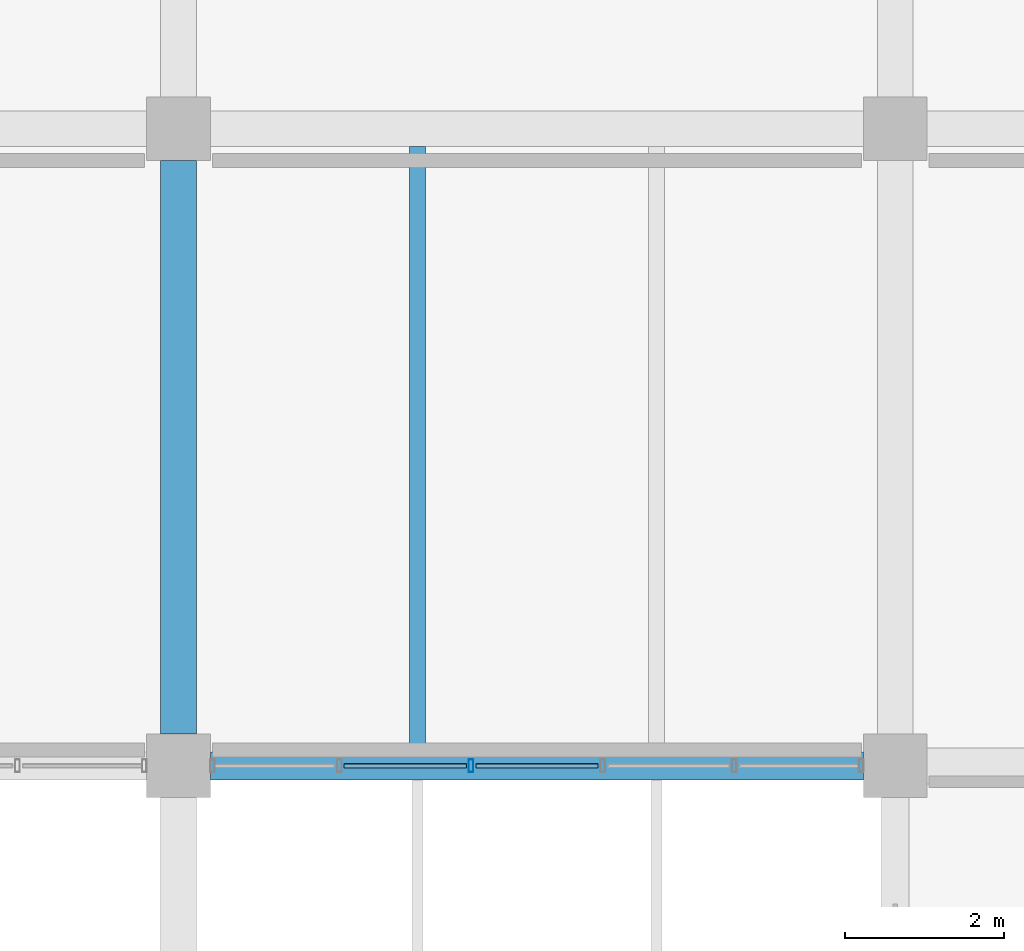
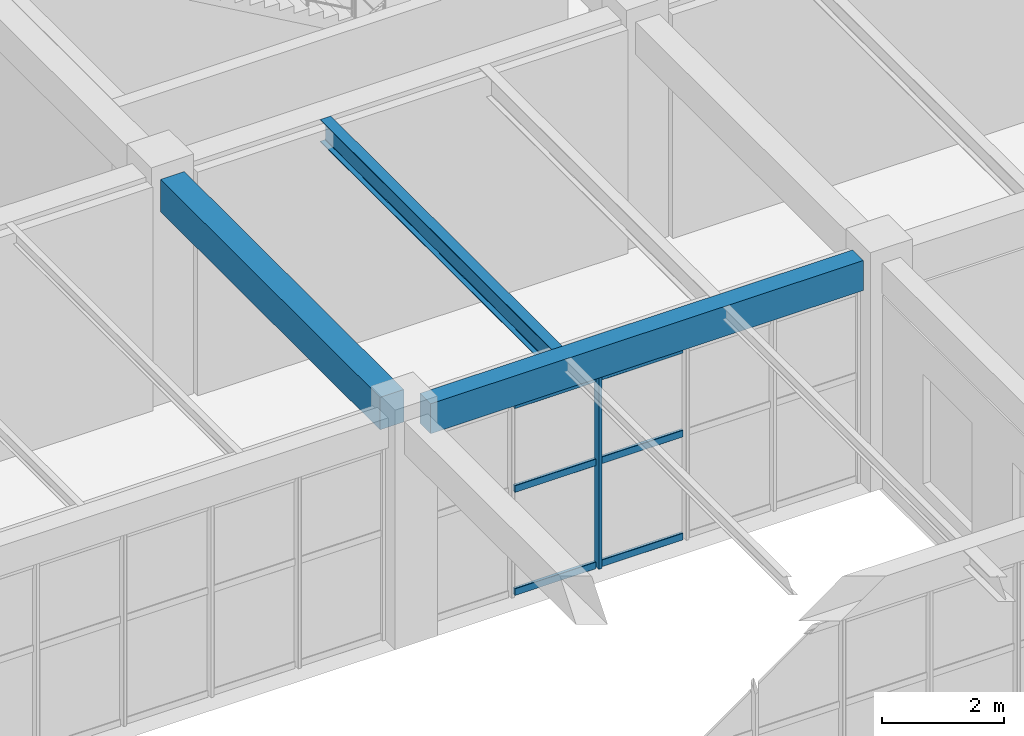
# One storey, part 85 of 178: 7 members, 3 beams, 1 element without a shape of its own.
"""IFC4 building model written with IfcOpenShell, lengths in metres."""

from ifc_helpers import new_model, si_unit, derived_unit, direction, frame, origin, origin_2d, place, context, subcontext, project, spatial, rectangle, hollow_rectangle, i_section, extrude, material, material_profile, profile_set, type_object, element, aggregate, save


model = new_model("IFC4")

# Units and contexts
model_context = context("Model", 3, precision=1e-05, world=origin(), true_north=direction((0.0, 1.0)))
body_context = subcontext(model_context, "Body", "Model", "MODEL_VIEW")
ifc_project = project(units=[si_unit("LENGTHUNIT", "METRE"), si_unit("AREAUNIT", "SQUARE_METRE"), si_unit("VOLUMEUNIT", "CUBIC_METRE"), si_unit("PLANEANGLEUNIT", "RADIAN"), si_unit("MASSUNIT", "GRAM", prefix="KILO"), derived_unit("THERMALTRANSMITTANCEUNIT", [(si_unit("MASSUNIT", "GRAM", prefix="KILO"), 1), (si_unit("TIMEUNIT", "SECOND"), -3), (si_unit("THERMODYNAMICTEMPERATUREUNIT", "KELVIN"), -1)])], contexts=[model_context])

# Site, building, storey
site_placement = place(None, origin())
site = spatial("IfcSite", under=ifc_project, at=site_placement, CompositionType="ELEMENT")
building_placement = place(site_placement, origin())
building = spatial("IfcBuilding", under=site, at=building_placement, Name="Zhenchuan Archway Interchange", CompositionType="ELEMENT")
storey_placement = place(building_placement, frame((0.0, 0.0, 5.39990234375)))
storey = spatial("IfcBuildingStorey", under=building, at=storey_placement, Name="L01", CompositionType="ELEMENT", Elevation=5.39990234375)

# Beam
ifc_material_1 = material(Name="Concrete C40", Category="concrete")
ifc_material_profile_1 = material_profile(ifc_material_1, rectangle(XDim=0.449951171875, YDim=0.64990234375, at=origin_2d()), Name="RC 450x650")
ifc_profile_set_1 = profile_set([ifc_material_profile_1], Name="Concrete C40")
beam_type_1 = type_object("IfcBeamType", Name="BM_RC_450x650", PredefinedType="BEAM", material=ifc_profile_set_1)
beam_1_placement = place(storey_placement, frame((27.0, 96.39990234375, 4.18505859375), z_axis=(0.0, 1.0, 0.0), x_axis=(-1.0, 0.0, 0.0)))
element("IfcBeam", 1, at=beam_1_placement, inside=storey, type_object=beam_type_1, Name="Beam 4:N-O (L01)", PredefinedType="BEAM", context=body_context, shape_type="SweptSolid", body=[
    extrude(rectangle(XDim=0.449951171875, YDim=0.64990234375, at=origin_2d()), origin(), (0.0, 0.0, 1.0), 7.2001953125),
])

# Curtain wall, members
ifc_material_2 = material(Name="Anodised Aluminium", Category="aluminium")
curtain_wall_type = type_object("IfcCurtainWallType", Name="CW_UNIT_4", PredefinedType="NOTDEFINED", material=ifc_material_2)
curtain_wall_placement = place(storey_placement, origin())
curtain_wall = element("IfcCurtainWall", 2, at=curtain_wall_placement, inside=storey, type_object=curtain_wall_type, Name="Unitised curtain wall CW:L01:039", PredefinedType="NOTDEFINED")
ifc_material_profile_2 = material_profile(ifc_material_2, hollow_rectangle(XDim=0.06005859375, YDim=0.159912109375, WallThickness=0.00390625, InnerFilletRadius=0.00390625, OuterFilletRadius=0.008056640625, at=origin_2d()), Name="ALU 160x60x4")
ifc_profile_set_2 = profile_set([ifc_material_profile_2], Name="Anodised Aluminium")
member_type_1 = type_object("IfcMemberType", Name="CW_MUL_150", PredefinedType="MULLION", material=ifc_profile_set_2)
member_1_placement = place(storey_placement, frame((30.673583984375, 96.0, 0.0), z_axis=(0.0, 0.0, 1.0), x_axis=(1.0, 0.0, 0.0)))
member_1 = element("IfcMember", 3, at=member_1_placement, type_object=member_type_1, Name="CW:L01:039 mullion 3", PredefinedType="MULLION", context=body_context, shape_type="SweptSolid", body=[
    extrude(hollow_rectangle(XDim=0.06005859375, YDim=0.159912109375, WallThickness=0.00390625, InnerFilletRadius=0.00390625, OuterFilletRadius=0.008056640625, at=origin_2d()), origin(), (0.0, 0.0, 1.0), 3.880126953125),
])
ifc_material_profile_3 = material_profile(ifc_material_2, hollow_rectangle(XDim=0.06005859375, YDim=0.139892578125, WallThickness=0.00341796875, InnerFilletRadius=0.00341796875, OuterFilletRadius=0.007080078125, at=origin_2d()), Name="ALU 140x60x3.5")
ifc_profile_set_3 = profile_set([ifc_material_profile_3], Name="Anodised Aluminium")
member_type_2 = type_object("IfcMemberType", Name="CW_TRN_140", PredefinedType="USERDEFINED", material=ifc_profile_set_3)
member_2_placement = place(storey_placement, frame((32.266357421875, 96.0, 0.06005859375), z_axis=(-1.0, 0.0, 0.0), x_axis=(0.0, -1.0, 0.0)))
member_2 = element("IfcMember", 4, at=member_2_placement, type_object=member_type_2, Name="CW:L01:039 transom 2-1", ObjectType="TRANSOM", PredefinedType="USERDEFINED", context=body_context, shape_type="SweptSolid", body=[
    extrude(hollow_rectangle(XDim=0.06005859375, YDim=0.139892578125, WallThickness=0.00341796875, InnerFilletRadius=0.00341796875, OuterFilletRadius=0.007080078125, at=origin_2d()), origin(), (0.0, 0.0, 1.0), 1.53271484375),
])
member_3_placement = place(storey_placement, frame((32.266357421875, 96.0, 2.123046875), z_axis=(-1.0, 0.0, 0.0), x_axis=(0.0, -1.0, 0.0)))
member_3 = element("IfcMember", 5, at=member_3_placement, type_object=member_type_2, Name="CW:L01:039 transom 2-2", ObjectType="TRANSOM", PredefinedType="USERDEFINED", context=body_context, shape_type="SweptSolid", body=[
    extrude(hollow_rectangle(XDim=0.06005859375, YDim=0.139892578125, WallThickness=0.00341796875, InnerFilletRadius=0.00341796875, OuterFilletRadius=0.007080078125, at=origin_2d()), origin(), (0.0, 0.0, 1.0), 1.53271484375),
])
member_4_placement = place(storey_placement, frame((32.266357421875, 96.0, 3.800048828125), z_axis=(-1.0, 0.0, 0.0), x_axis=(0.0, -1.0, 0.0)))
member_4 = element("IfcMember", 6, at=member_4_placement, type_object=member_type_2, Name="CW:L01:039 transom 2-3", ObjectType="TRANSOM", PredefinedType="USERDEFINED", context=body_context, shape_type="SweptSolid", body=[
    extrude(hollow_rectangle(XDim=0.06005859375, YDim=0.139892578125, WallThickness=0.00341796875, InnerFilletRadius=0.00341796875, OuterFilletRadius=0.007080078125, at=origin_2d()), origin(), (0.0, 0.0, 1.0), 1.53271484375),
])
member_5_placement = place(storey_placement, frame((30.613525390625, 96.0, 0.06005859375), z_axis=(-1.0, 0.0, 0.0), x_axis=(0.0, -1.0, 0.0)))
member_5 = element("IfcMember", 7, at=member_5_placement, type_object=member_type_2, Name="CW:L01:039 transom 3-1", ObjectType="TRANSOM", PredefinedType="USERDEFINED", context=body_context, shape_type="SweptSolid", body=[
    extrude(hollow_rectangle(XDim=0.06005859375, YDim=0.139892578125, WallThickness=0.00341796875, InnerFilletRadius=0.00341796875, OuterFilletRadius=0.007080078125, at=origin_2d()), origin(), (0.0, 0.0, 1.0), 1.53271484375),
])
member_6_placement = place(storey_placement, frame((30.613525390625, 96.0, 2.123046875), z_axis=(-1.0, 0.0, 0.0), x_axis=(0.0, -1.0, 0.0)))
member_6 = element("IfcMember", 8, at=member_6_placement, type_object=member_type_2, Name="CW:L01:039 transom 3-2", ObjectType="TRANSOM", PredefinedType="USERDEFINED", context=body_context, shape_type="SweptSolid", body=[
    extrude(hollow_rectangle(XDim=0.06005859375, YDim=0.139892578125, WallThickness=0.00341796875, InnerFilletRadius=0.00341796875, OuterFilletRadius=0.007080078125, at=origin_2d()), origin(), (0.0, 0.0, 1.0), 1.53271484375),
])
member_7_placement = place(storey_placement, frame((30.613525390625, 96.0, 3.800048828125), z_axis=(-1.0, 0.0, 0.0), x_axis=(0.0, -1.0, 0.0)))
member_7 = element("IfcMember", 9, at=member_7_placement, type_object=member_type_2, Name="CW:L01:039 transom 3-3", ObjectType="TRANSOM", PredefinedType="USERDEFINED", context=body_context, shape_type="SweptSolid", body=[
    extrude(hollow_rectangle(XDim=0.06005859375, YDim=0.139892578125, WallThickness=0.00341796875, InnerFilletRadius=0.00341796875, OuterFilletRadius=0.007080078125, at=origin_2d()), origin(), (0.0, 0.0, 1.0), 1.53271484375),
])
aggregate(curtain_wall, [member_1, member_2, member_3, member_4, member_5, member_6, member_7])

# Beams
ifc_material_3 = material(Name="Steel Q355", Category="steel")
ifc_material_profile_4 = material_profile(ifc_material_3, i_section(OverallWidth=0.199951171875, OverallDepth=0.449951171875, WebThickness=0.009033203125, FlangeThickness=0.013916015625, FilletRadius=0.01806640625, at=origin_2d()), Name="HN 450x200")
ifc_profile_set_4 = profile_set([ifc_material_profile_4], Name="Steel Q355")
beam_type_2 = type_object("IfcBeamType", Name="JST_STL_HN450", PredefinedType="JOIST", material=ifc_profile_set_4)
beam_2_placement = place(storey_placement, frame((30.0, 96.175048828125, 4.28515625), z_axis=(0.0, 1.0, 0.0), x_axis=(-1.0, 0.0, 0.0)))
element("IfcBeam", 10, at=beam_2_placement, inside=storey, type_object=beam_type_2, Name="Secondary joist 4-5/N-O #1 (L01)", PredefinedType="JOIST", context=body_context, shape_type="SweptSolid", body=[
    extrude(i_section(OverallWidth=0.199951171875, OverallDepth=0.449951171875, WebThickness=0.009033203125, FlangeThickness=0.013916015625, FilletRadius=0.01806640625, at=origin_2d()), origin(), (0.0, 0.0, 1.0), 7.599853515625),
])
ifc_material_profile_5 = material_profile(ifc_material_1, rectangle(XDim=0.35009765625, YDim=0.60009765625, at=origin_2d()), Name="RC 350x600")
ifc_profile_set_5 = profile_set([ifc_material_profile_5], Name="Concrete C40")
beam_type_3 = type_object("IfcBeamType", Name="SP_RC_350x600", PredefinedType="SPANDREL", material=ifc_profile_set_5)
beam_3_placement = place(storey_placement, frame((27.39990234375, 96.0, 4.210205078125), z_axis=(1.0, 0.0, 0.0), x_axis=(0.0, 1.0, 0.0)))
element("IfcBeam", 11, at=beam_3_placement, inside=storey, type_object=beam_type_3, Name="Beam N:4-5 (L01)", PredefinedType="SPANDREL", context=body_context, shape_type="SweptSolid", body=[
    extrude(rectangle(XDim=0.35009765625, YDim=0.60009765625, at=origin_2d()), origin(), (0.0, 0.0, 1.0), 8.2001953125),
])

save(model, "model.ifc")
